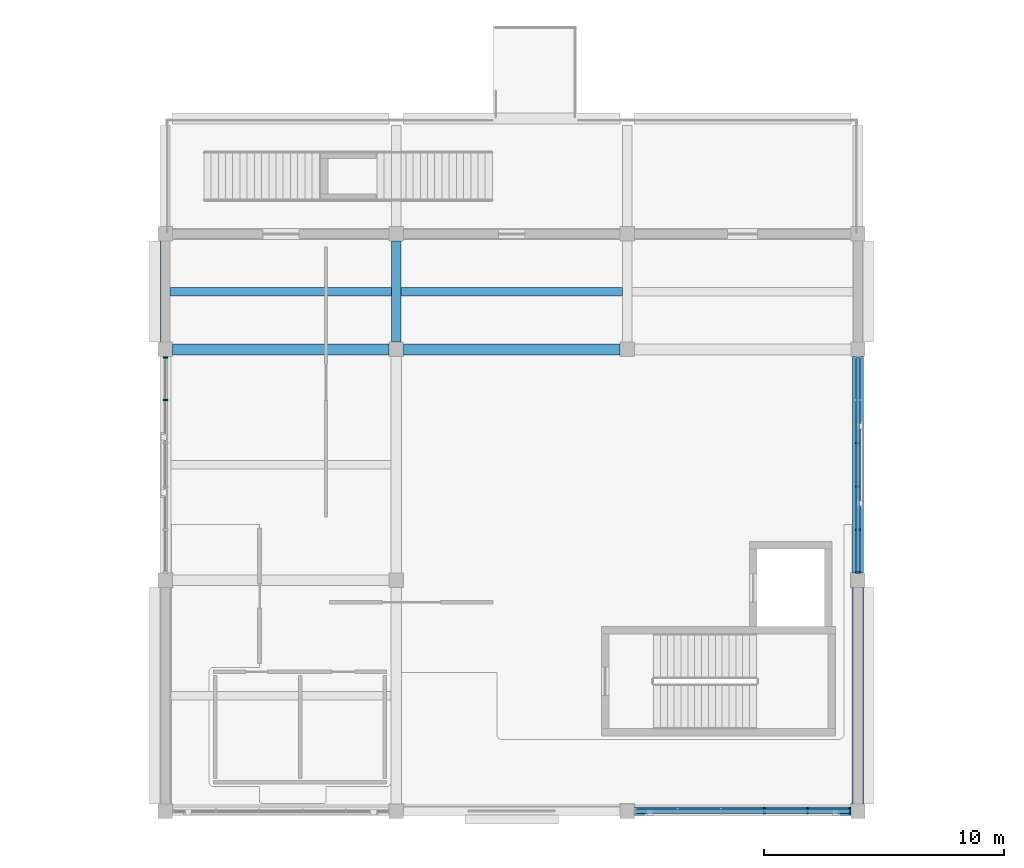
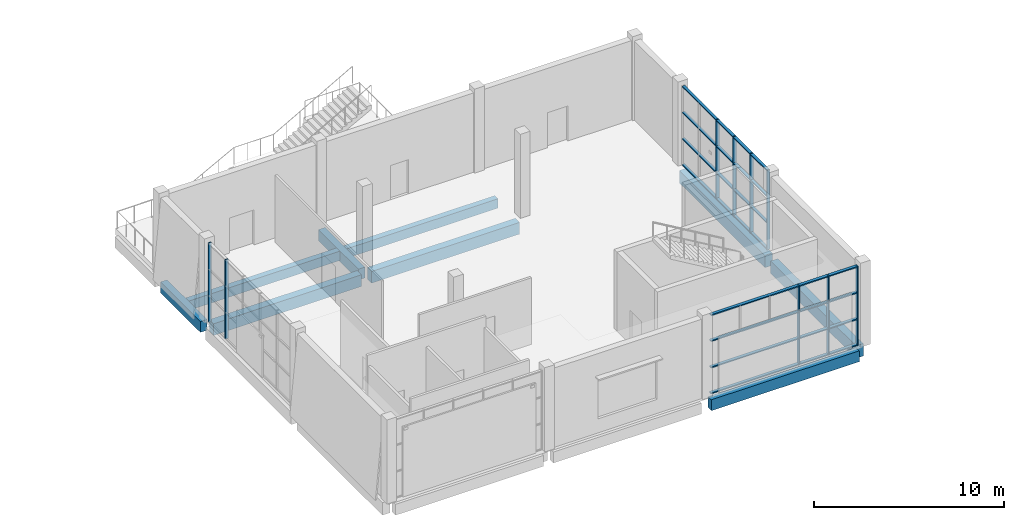
# One storey, part 12 of 57: 17 members, 9 beams, 3 elements without a shape of their own.
"""IFC4 building model written with IfcOpenShell, lengths in metres."""

from ifc_helpers import new_model, si_unit, direction, frame, origin, origin_2d, place, context, subcontext, project, spatial, rectangle, extrude, material, material_profile, profile_set, type_object, element, aggregate, save


model = new_model("IFC4")

# Units and contexts
model_context = context("Model", 3, precision=1e-05, world=origin(), true_north=direction((0.0, 1.0)))
body_context = subcontext(model_context, "Body", "Model", "MODEL_VIEW")
ifc_project = project(units=[si_unit("LENGTHUNIT", "METRE"), si_unit("AREAUNIT", "SQUARE_METRE"), si_unit("VOLUMEUNIT", "CUBIC_METRE"), si_unit("PLANEANGLEUNIT", "RADIAN"), si_unit("MASSUNIT", "GRAM", prefix="KILO")], contexts=[model_context])

# Site, building, storey
site_placement = place(None, origin())
site = spatial("IfcSite", under=ifc_project, at=site_placement, CompositionType="ELEMENT")
building_placement = place(site_placement, origin())
building = spatial("IfcBuilding", under=site, at=building_placement, Name="Shalvenor Court Art Gallery", CompositionType="ELEMENT")
storey_placement = place(building_placement, frame((0.0, 0.0, 16.800048828125)))
storey = spatial("IfcBuildingStorey", under=building, at=storey_placement, Name="L03", CompositionType="ELEMENT", Elevation=16.800048828125)

# Beams
ifc_material_1 = material(Name="Concrete C40/50", Category="concrete")
ifc_material_profile_1 = material_profile(ifc_material_1, rectangle(XDim=0.449951171875, YDim=0.800048828125, at=origin_2d()), Name="RC 450x800")
ifc_profile_set_1 = profile_set([ifc_material_profile_1], Name="Concrete C40/50")
beam_type_1 = type_object("IfcBeamType", Name="B-03", PredefinedType="BEAM", material=ifc_profile_set_1)
for number, where, z_axis, x_axis, name in (
    (1, (124.800048828125, 0.300048828125, -0.699951171875), (0.0, 1.0, 0.0), (-1.0, 0.0, 0.0), "L03 Girder BM-L03-B-03-1006"),
    (2, (124.800048828125, 9.89990234375, -0.699951171875), (0.0, 1.0, 0.0), (-1.0, 0.0, 0.0), "L03 Girder BM-L03-B-03-1007"),
):
    element("IfcBeam", number, at=place(storey_placement, frame(where, z_axis=z_axis, x_axis=x_axis)), inside=storey, type_object=beam_type_1, Name=name, PredefinedType="BEAM", context=body_context, shape_type="SweptSolid", body=[
        extrude(rectangle(XDim=0.449951171875, YDim=0.800048828125, at=origin_2d()), origin(), (0.0, 0.0, 1.0), 9.0),
    ])
ifc_material_2 = material(Name="Concrete C40/50", Category="concrete")
ifc_material_profile_2 = material_profile(ifc_material_2, rectangle(XDim=0.449951171875, YDim=0.75, at=origin_2d()), Name="RC 450x750")
ifc_profile_set_2 = profile_set([ifc_material_profile_2], Name="Concrete C40/50")
beam_type_2 = type_object("IfcBeamType", Name="B-04", PredefinedType="BEAM", material=ifc_profile_set_2)
for number, where, z_axis, x_axis, name in (
    (3, (96.300048828125, 19.199951171875, -0.675048828125), (1.0, 0.0, 0.0), (0.0, 1.0, 0.0), "L03 Girder BM-L03-B-04-1051"),
    (4, (105.89990234375, 19.199951171875, -0.675048828125), (1.0, 0.0, 0.0), (0.0, 1.0, 0.0), "L03 Girder BM-L03-B-04-1052"),
):
    element("IfcBeam", number, at=place(storey_placement, frame(where, z_axis=z_axis, x_axis=x_axis)), inside=storey, type_object=beam_type_2, Name=name, PredefinedType="BEAM", context=body_context, shape_type="SweptSolid", body=[
        extrude(rectangle(XDim=0.449951171875, YDim=0.75, at=origin_2d()), origin(), (0.0, 0.0, 1.0), 9.0),
    ])
ifc_material_3 = material(Name="Concrete C40/50", Category="concrete")
ifc_material_profile_3 = material_profile(ifc_material_3, rectangle(XDim=0.39990234375, YDim=0.699951171875, at=origin_2d()), Name="RC 400x700")
ifc_profile_set_3 = profile_set([ifc_material_profile_3], Name="Concrete C40/50")
beam_type_3 = type_object("IfcBeamType", Name="B-05", PredefinedType="BEAM", material=ifc_profile_set_3)
for number, where, z_axis, x_axis, name in (
    (5, (96.0, 19.5, -0.650146484375), (0.0, 1.0, 0.0), (-1.0, 0.0, 0.0), "L03 Girder BM-L03-B-05-0991"),
    (6, (105.60009765625, 19.5, -0.650146484375), (0.0, 1.0, 0.0), (-1.0, 0.0, 0.0), "L03 Girder BM-L03-B-05-0998"),
):
    element("IfcBeam", number, at=place(storey_placement, frame(where, z_axis=z_axis, x_axis=x_axis)), inside=storey, type_object=beam_type_3, Name=name, PredefinedType="BEAM", context=body_context, shape_type="SweptSolid", body=[
        extrude(rectangle(XDim=0.39990234375, YDim=0.699951171875, at=origin_2d()), origin(), (0.0, 0.0, 1.0), 4.199951171875),
    ])

# Curtain wall, members
ifc_material_4 = material(Name="Anodised aluminium and low-iron glass curtain wall", Category="aluminium")
curtain_wall_type_1 = type_object("IfcCurtainWallType", Name="CW-5x3-90-51-122", PredefinedType="USERDEFINED", material=ifc_material_4)
curtain_wall_1_placement = place(storey_placement, origin())
curtain_wall_1 = element("IfcCurtainWall", 7, at=curtain_wall_1_placement, inside=storey, type_object=curtain_wall_type_1, Name="L03 V3 Curtain Wall CW-L03-112", ObjectType="CURTAIN WALL", PredefinedType="USERDEFINED")
ifc_material_5 = material(Name="Anodised aluminium mullion", Category="aluminium")
ifc_material_profile_4 = material_profile(ifc_material_5, rectangle(XDim=0.06494140625, YDim=0.179931640625, at=origin_2d()), Name="CWM-01")
ifc_profile_set_4 = profile_set([ifc_material_profile_4], Name="Anodised aluminium mullion")
member_type_1 = type_object("IfcMemberType", Name="CWM-01", PredefinedType="MULLION", material=ifc_profile_set_4)
member_1_placement = place(storey_placement, frame((96.0, 17.10009765625, 0.0), z_axis=(0.0, 0.0, 1.0), x_axis=(0.0, 1.0, 0.0)))
member_1 = element("IfcMember", 8, at=member_1_placement, type_object=member_type_1, Name="CW-5x3-90-51-122 mullion 5", PredefinedType="MULLION", context=body_context, shape_type="SweptSolid", body=[
    extrude(rectangle(XDim=0.06494140625, YDim=0.179931640625, at=origin_2d()), origin(), (0.0, 0.0, 1.0), 5.099853515625),
])
member_2_placement = place(storey_placement, frame((96.0, 18.867431640625, 0.0), z_axis=(0.0, 0.0, 1.0), x_axis=(0.0, 1.0, 0.0)))
member_2 = element("IfcMember", 9, at=member_2_placement, type_object=member_type_1, Name="CW-5x3-90-51-122 mullion 6", PredefinedType="MULLION", context=body_context, shape_type="SweptSolid", body=[
    extrude(rectangle(XDim=0.06494140625, YDim=0.179931640625, at=origin_2d()), origin(), (0.0, 0.0, 1.0), 5.099853515625),
])
aggregate(curtain_wall_1, [member_1, member_2])

ifc_material_6 = material(Name="Anodised aluminium and low-iron glass curtain wall", Category="aluminium")
curtain_wall_type_2 = type_object("IfcCurtainWallType", Name="CW-5x3-90-51-222", PredefinedType="USERDEFINED", material=ifc_material_6)
curtain_wall_2_placement = place(storey_placement, origin())
curtain_wall_2 = element("IfcCurtainWall", 10, at=curtain_wall_2_placement, inside=storey, type_object=curtain_wall_type_2, Name="L03 V3 Curtain Wall CW-L03-109", ObjectType="CURTAIN WALL", PredefinedType="USERDEFINED")
ifc_material_7 = material(Name="Anodised aluminium mullion", Category="aluminium")
ifc_material_profile_5 = material_profile(ifc_material_7, rectangle(XDim=0.070068359375, YDim=0.199951171875, at=origin_2d()), Name="CWM-02")
ifc_profile_set_5 = profile_set([ifc_material_profile_5], Name="Anodised aluminium mullion")
member_type_2 = type_object("IfcMemberType", Name="CWM-02", PredefinedType="MULLION", material=ifc_profile_set_5)
member_3_placement = place(storey_placement, frame((124.800048828125, 15.300048828125, 0.0), z_axis=(0.0, 0.0, 1.0), x_axis=(0.0, -1.0, 0.0)))
member_3 = element("IfcMember", 11, at=member_3_placement, type_object=member_type_2, Name="CW-5x3-90-51-222 mullion 3", PredefinedType="MULLION", context=body_context, shape_type="SweptSolid", body=[
    extrude(rectangle(XDim=0.070068359375, YDim=0.199951171875, at=origin_2d()), origin(), (0.0, 0.0, 1.0), 5.099853515625),
])
member_4_placement = place(storey_placement, frame((124.800048828125, 13.5, 0.0), z_axis=(0.0, 0.0, 1.0), x_axis=(0.0, -1.0, 0.0)))
member_4 = element("IfcMember", 12, at=member_4_placement, type_object=member_type_2, Name="CW-5x3-90-51-222 mullion 4", PredefinedType="MULLION", context=body_context, shape_type="SweptSolid", body=[
    extrude(rectangle(XDim=0.070068359375, YDim=0.199951171875, at=origin_2d()), origin(), (0.0, 0.0, 1.0), 5.099853515625),
])
member_5_placement = place(storey_placement, frame((124.800048828125, 11.699951171875, 0.0), z_axis=(0.0, 0.0, 1.0), x_axis=(0.0, -1.0, 0.0)))
member_5 = element("IfcMember", 13, at=member_5_placement, type_object=member_type_2, Name="CW-5x3-90-51-222 mullion 5", PredefinedType="MULLION", context=body_context, shape_type="SweptSolid", body=[
    extrude(rectangle(XDim=0.070068359375, YDim=0.199951171875, at=origin_2d()), origin(), (0.0, 0.0, 1.0), 5.099853515625),
])
member_6_placement = place(storey_placement, frame((124.800048828125, 9.93505859375, 0.0), z_axis=(0.0, 0.0, 1.0), x_axis=(0.0, -1.0, 0.0)))
member_6 = element("IfcMember", 14, at=member_6_placement, type_object=member_type_2, Name="CW-5x3-90-51-222 mullion 6", PredefinedType="MULLION", context=body_context, shape_type="SweptSolid", body=[
    extrude(rectangle(XDim=0.070068359375, YDim=0.199951171875, at=origin_2d()), origin(), (0.0, 0.0, 1.0), 5.099853515625),
])

ifc_material_8 = material(Name="Anodised aluminium and low-iron glass curtain wall", Category="aluminium")
curtain_wall_type_3 = type_object("IfcCurtainWallType", Name="CW-5x3-90-51-442", PredefinedType="USERDEFINED", material=ifc_material_8)
curtain_wall_3_placement = place(storey_placement, origin())
curtain_wall_3 = element("IfcCurtainWall", 15, at=curtain_wall_3_placement, inside=storey, type_object=curtain_wall_type_3, Name="L03 V3 Curtain Wall CW-L03-110", ObjectType="CURTAIN WALL", PredefinedType="USERDEFINED")
ifc_material_9 = material(Name="Anodised aluminium mullion", Category="aluminium")
ifc_material_profile_6 = material_profile(ifc_material_9, rectangle(XDim=0.074951171875, YDim=0.219970703125, at=origin_2d()), Name="CWM-04")
ifc_profile_set_6 = profile_set([ifc_material_profile_6], Name="Anodised aluminium mullion")
member_type_3 = type_object("IfcMemberType", Name="CWM-04", PredefinedType="MULLION", material=ifc_profile_set_6)
member_7_placement = place(storey_placement, frame((124.46240234375, 0.0, 0.0), z_axis=(0.0, 0.0, 1.0), x_axis=(-1.0, 0.0, 0.0)))
member_7 = element("IfcMember", 16, at=member_7_placement, type_object=member_type_3, Name="CW-5x3-90-51-442 mullion 1", PredefinedType="MULLION", context=body_context, shape_type="SweptSolid", body=[
    extrude(rectangle(XDim=0.074951171875, YDim=0.219970703125, at=origin_2d()), origin(), (0.0, 0.0, 1.0), 5.099853515625),
])
member_8_placement = place(storey_placement, frame((122.699951171875, 0.0, 0.0), z_axis=(0.0, 0.0, 1.0), x_axis=(-1.0, 0.0, 0.0)))
member_8 = element("IfcMember", 17, at=member_8_placement, type_object=member_type_3, Name="CW-5x3-90-51-442 mullion 2", PredefinedType="MULLION", context=body_context, shape_type="SweptSolid", body=[
    extrude(rectangle(XDim=0.074951171875, YDim=0.219970703125, at=origin_2d()), origin(), (0.0, 0.0, 1.0), 5.099853515625),
])
member_9_placement = place(storey_placement, frame((120.89990234375, 0.0, 0.0), z_axis=(0.0, 0.0, 1.0), x_axis=(-1.0, 0.0, 0.0)))
member_9 = element("IfcMember", 18, at=member_9_placement, type_object=member_type_3, Name="CW-5x3-90-51-442 mullion 3", PredefinedType="MULLION", context=body_context, shape_type="SweptSolid", body=[
    extrude(rectangle(XDim=0.074951171875, YDim=0.219970703125, at=origin_2d()), origin(), (0.0, 0.0, 1.0), 5.099853515625),
])

# Member
ifc_material_10 = material(Name="Anodised aluminium transom", Category="aluminium")
ifc_material_profile_7 = material_profile(ifc_material_10, rectangle(XDim=0.169921875, YDim=0.06494140625, at=origin_2d()), Name="CWT-02")
ifc_profile_set_7 = profile_set([ifc_material_profile_7], Name="Anodised aluminium transom")
member_type_4 = type_object("IfcMemberType", Name="CWT-02", PredefinedType="USERDEFINED", material=ifc_profile_set_7)
member_10_placement = place(storey_placement, frame((124.800048828125, 18.864990234375, 0.032470703125), z_axis=(0.0, -1.0, 0.0), x_axis=(1.0, 0.0, 0.0)))
member_10 = element("IfcMember", 19, at=member_10_placement, type_object=member_type_4, Name="CW-5x3-90-51-222 transom 1", ObjectType="TRANSOM", PredefinedType="USERDEFINED", context=body_context, shape_type="SweptSolid", body=[
    extrude(rectangle(XDim=0.169921875, YDim=0.06494140625, at=origin_2d()), origin(), (0.0, 0.0, 1.0), 8.929931640625),
])

member_11_placement = place(storey_placement, frame((124.800048828125, 18.864990234375, 1.699951171875), z_axis=(0.0, -1.0, 0.0), x_axis=(1.0, 0.0, 0.0)))
member_11 = element("IfcMember", 20, at=member_11_placement, type_object=member_type_4, Name="CW-5x3-90-51-222 transom 2", ObjectType="TRANSOM", PredefinedType="USERDEFINED", context=body_context, shape_type="SweptSolid", body=[
    extrude(rectangle(XDim=0.169921875, YDim=0.06494140625, at=origin_2d()), origin(), (0.0, 0.0, 1.0), 8.929931640625),
])

member_12_placement = place(storey_placement, frame((124.800048828125, 18.864990234375, 3.39990234375), z_axis=(0.0, -1.0, 0.0), x_axis=(1.0, 0.0, 0.0)))
member_12 = element("IfcMember", 21, at=member_12_placement, type_object=member_type_4, Name="CW-5x3-90-51-222 transom 3", ObjectType="TRANSOM", PredefinedType="USERDEFINED", context=body_context, shape_type="SweptSolid", body=[
    extrude(rectangle(XDim=0.169921875, YDim=0.06494140625, at=origin_2d()), origin(), (0.0, 0.0, 1.0), 8.929931640625),
])

member_13_placement = place(storey_placement, frame((124.800048828125, 18.864990234375, 5.0673828125), z_axis=(0.0, -1.0, 0.0), x_axis=(1.0, 0.0, 0.0)))
member_13 = element("IfcMember", 22, at=member_13_placement, type_object=member_type_4, Name="CW-5x3-90-51-222 transom 4", ObjectType="TRANSOM", PredefinedType="USERDEFINED", context=body_context, shape_type="SweptSolid", body=[
    extrude(rectangle(XDim=0.169921875, YDim=0.06494140625, at=origin_2d()), origin(), (0.0, 0.0, 1.0), 8.929931640625),
])

aggregate(curtain_wall_2, [member_3, member_4, member_5, member_6, member_10, member_11, member_12, member_13])

ifc_material_11 = material(Name="Anodised aluminium transom", Category="aluminium")
ifc_material_profile_8 = material_profile(ifc_material_11, rectangle(XDim=0.18994140625, YDim=0.070068359375, at=origin_2d()), Name="CWT-04")
ifc_profile_set_8 = profile_set([ifc_material_profile_8], Name="Anodised aluminium transom")
member_type_5 = type_object("IfcMemberType", Name="CWT-04", PredefinedType="USERDEFINED", material=ifc_profile_set_8)
member_14_placement = place(storey_placement, frame((124.46240234375, 0.0, 0.034912109375), z_axis=(-1.0, 0.0, 0.0), x_axis=(0.0, -1.0, 0.0)))
member_14 = element("IfcMember", 23, at=member_14_placement, type_object=member_type_5, Name="CW-5x3-90-51-442 transom 1", ObjectType="TRANSOM", PredefinedType="USERDEFINED", context=body_context, shape_type="SweptSolid", body=[
    extrude(rectangle(XDim=0.18994140625, YDim=0.070068359375, at=origin_2d()), origin(), (0.0, 0.0, 1.0), 8.9248046875),
])

member_15_placement = place(storey_placement, frame((124.46240234375, 0.0, 1.699951171875), z_axis=(-1.0, 0.0, 0.0), x_axis=(0.0, -1.0, 0.0)))
member_15 = element("IfcMember", 24, at=member_15_placement, type_object=member_type_5, Name="CW-5x3-90-51-442 transom 2", ObjectType="TRANSOM", PredefinedType="USERDEFINED", context=body_context, shape_type="SweptSolid", body=[
    extrude(rectangle(XDim=0.18994140625, YDim=0.070068359375, at=origin_2d()), origin(), (0.0, 0.0, 1.0), 8.9248046875),
])

member_16_placement = place(storey_placement, frame((124.46240234375, 0.0, 3.39990234375), z_axis=(-1.0, 0.0, 0.0), x_axis=(0.0, -1.0, 0.0)))
member_16 = element("IfcMember", 25, at=member_16_placement, type_object=member_type_5, Name="CW-5x3-90-51-442 transom 3", ObjectType="TRANSOM", PredefinedType="USERDEFINED", context=body_context, shape_type="SweptSolid", body=[
    extrude(rectangle(XDim=0.18994140625, YDim=0.070068359375, at=origin_2d()), origin(), (0.0, 0.0, 1.0), 8.9248046875),
])

member_17_placement = place(storey_placement, frame((124.46240234375, 0.0, 5.06494140625), z_axis=(-1.0, 0.0, 0.0), x_axis=(0.0, -1.0, 0.0)))
member_17 = element("IfcMember", 26, at=member_17_placement, type_object=member_type_5, Name="CW-5x3-90-51-442 transom 4", ObjectType="TRANSOM", PredefinedType="USERDEFINED", context=body_context, shape_type="SweptSolid", body=[
    extrude(rectangle(XDim=0.18994140625, YDim=0.070068359375, at=origin_2d()), origin(), (0.0, 0.0, 1.0), 8.9248046875),
])

aggregate(curtain_wall_3, [member_7, member_8, member_9, member_14, member_15, member_16, member_17])

# Beams
ifc_material_12 = material(Name="Concrete C40/50", Category="concrete")
ifc_material_profile_9 = material_profile(ifc_material_12, rectangle(XDim=0.35009765625, YDim=0.60009765625, at=origin_2d()), Name="RC 350x600")
ifc_profile_set_9 = profile_set([ifc_material_profile_9], Name="Concrete C40/50")
beam_type_4 = type_object("IfcBeamType", Name="J-01", PredefinedType="JOIST", material=ifc_profile_set_9)
for number, where, z_axis, x_axis, name in (
    (27, (96.199951171875, 21.60009765625, -0.60009765625), (1.0, 0.0, 0.0), (0.0, 1.0, 0.0), "L03 Secondary Beam JST-L03-J-01-1144"),
    (28, (105.800048828125, 21.60009765625, -0.60009765625), (1.0, 0.0, 0.0), (0.0, 1.0, 0.0), "L03 Secondary Beam JST-L03-J-01-1148"),
):
    element("IfcBeam", number, at=place(storey_placement, frame(where, z_axis=z_axis, x_axis=x_axis)), inside=storey, type_object=beam_type_4, Name=name, PredefinedType="JOIST", context=body_context, shape_type="SweptSolid", body=[
        extrude(rectangle(XDim=0.35009765625, YDim=0.60009765625, at=origin_2d()), origin(), (0.0, 0.0, 1.0), 9.199951171875),
    ])
ifc_material_13 = material(Name="Concrete C40/50", Category="concrete")
ifc_material_profile_10 = material_profile(ifc_material_13, rectangle(XDim=0.35009765625, YDim=0.699951171875, at=origin_2d()), Name="RC 350x700")
ifc_profile_set_10 = profile_set([ifc_material_profile_10], Name="Concrete C40/50")
beam_type_5 = type_object("IfcBeamType", Name="SP-01", PredefinedType="SPANDREL", material=ifc_profile_set_10)
beam_placement = place(storey_placement, frame((115.5, 0.0, -0.650146484375), z_axis=(1.0, 0.0, 0.0), x_axis=(0.0, 1.0, 0.0)))
element("IfcBeam", 29, at=beam_placement, inside=storey, type_object=beam_type_5, Name="L03 Spandrel Girder BM-L03-SP-01-1049", PredefinedType="SPANDREL", context=body_context, shape_type="SweptSolid", body=[
    extrude(rectangle(XDim=0.35009765625, YDim=0.699951171875, at=origin_2d()), origin(), (0.0, 0.0, 1.0), 9.0),
])

save(model, "model.ifc")
